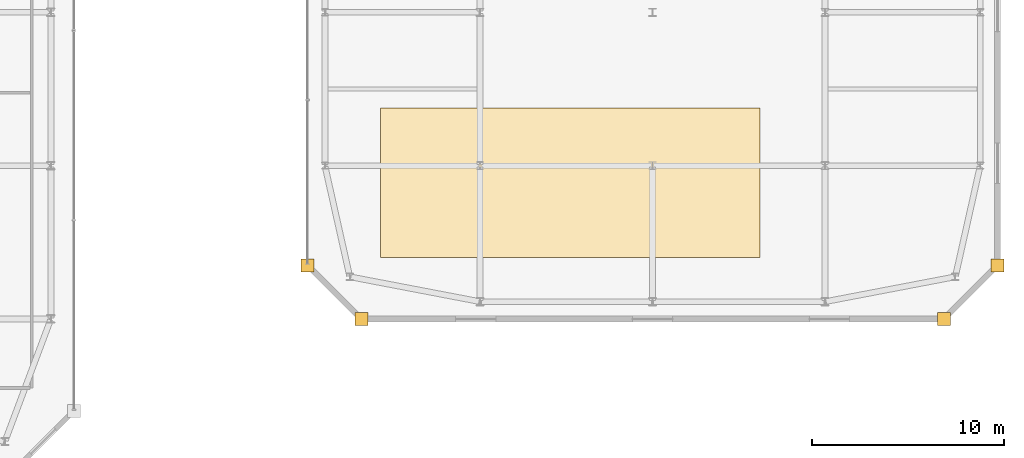
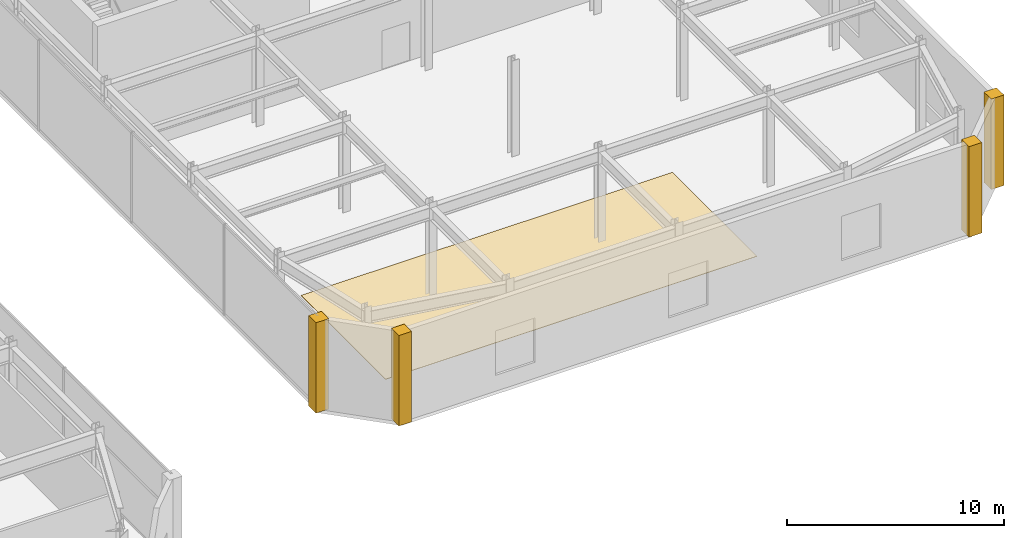
# One storey, part 49 of 51: 5 coverings.
"""IFC4 building model written with IfcOpenShell, lengths in metres."""

import ifcopenshell
import ifcopenshell.guid

model = None  # the IFC model being written
_history = None  # IfcOwnerHistory: only IFC2X3 demands one
_inside = {}  # id of a spatial element -> (the spatial element, [elements in it])
_under = {}  # id of a project, library or spatial element -> (it, [spatial elements below it])
_declared = {}  # id of a project -> (the project, [libraries it declares])
_typed = {}  # id of a type object -> (the type object, [elements of that type])
_made_of = {}  # id of a material, layer set ... -> (it, [elements and type objects made of it])


def new_model(schema):
    """Start an empty IFC model of exactly this schema.

    Asked for "IFC4X3", IfcOpenShell would pick the latest addendum, in which some entities
    have other attributes; the version numbers below select the first issue.
    IFC2X3 requires an IfcOwnerHistory on every rooted entity: one is made here for all.
    """
    global model, _history
    if schema == "IFC4X3":
        model = ifcopenshell.file(schema_version=(4, 3, 0, 0))
    else:
        model = ifcopenshell.file(schema=schema)
    _inside.clear()
    _under.clear()
    _declared.clear()
    _typed.clear()
    _made_of.clear()
    _history = None
    if model.schema == "IFC2X3":
        org = make("IfcOrganization", Name="unknown")
        user = make(
            "IfcPersonAndOrganization",
            ThePerson=make("IfcPerson", FamilyName="unknown"),
            TheOrganization=org,
        )
        app = make(
            "IfcApplication",
            ApplicationDeveloper=org,
            Version="unknown",
            ApplicationFullName="unknown",
            ApplicationIdentifier="unknown",
        )
        _history = make(
            "IfcOwnerHistory",
            OwningUser=user,
            OwningApplication=app,
            ChangeAction="ADDED",
            CreationDate=0,
        )
    return model


def make(cls, **values):
    """One entity of the class cls with the attributes given. An attribute that is None is left unset."""
    return model.create_entity(
        cls, **{name: value for name, value in values.items() if value is not None}
    )


def rooted(cls, **values):
    """An entity with a GlobalId (a new one), such as an element, a storey or a relation."""
    return make(cls, GlobalId=ifcopenshell.guid.new(), OwnerHistory=_history, **values)


def si_unit(unit_type, name, prefix=None):
    """IfcSIUnit, for example si_unit("LENGTHUNIT", "METRE", prefix="MILLI")."""
    return make("IfcSIUnit", UnitType=unit_type, Prefix=prefix, Name=name)


def assignment(units):
    """IfcUnitAssignment: the units of a project."""
    return None if units is None else make("IfcUnitAssignment", Units=units)


def point(xyz):
    """IfcCartesianPoint."""
    return None if xyz is None else make("IfcCartesianPoint", Coordinates=xyz)


def direction(xyz):
    """IfcDirection."""
    return None if xyz is None else make("IfcDirection", DirectionRatios=xyz)


def frame(location, z_axis=None, x_axis=None):
    """IfcAxis2Placement3D, a coordinate frame: its origin and axes. An axis left out is left unset."""
    return make(
        "IfcAxis2Placement3D",
        Location=point(location),
        Axis=direction(z_axis),
        RefDirection=direction(x_axis),
    )


def origin():
    """The frame at (0, 0, 0) with its axes left unset."""
    return frame((0.0, 0.0, 0.0))


def place(relative_to, where):
    """IfcLocalPlacement: puts the frame where relative to a parent placement (None: the world)."""
    return make(
        "IfcLocalPlacement", PlacementRelTo=relative_to, RelativePlacement=where
    )


def context(
    kind, dimensions, precision=None, world=None, true_north=None, identifier=None
):
    """IfcGeometricRepresentationContext, for example the 3D "Model" context."""
    return make(
        "IfcGeometricRepresentationContext",
        ContextIdentifier=identifier,
        ContextType=kind,
        CoordinateSpaceDimension=dimensions,
        Precision=precision,
        WorldCoordinateSystem=world,
        TrueNorth=true_north,
    )


def subcontext(parent, identifier, kind, view, scale=None):
    """IfcGeometricRepresentationSubContext, for example "Body" below "Model"."""
    return make(
        "IfcGeometricRepresentationSubContext",
        ContextIdentifier=identifier,
        ContextType=kind,
        ParentContext=parent,
        TargetScale=scale,
        TargetView=view,
    )


def project(units=None, contexts=None):
    """IfcProject with its units and contexts."""
    return rooted(
        "IfcProject",
        Name="project",
        RepresentationContexts=contexts,
        UnitsInContext=assignment(units),
    )


def spatial(cls, under=None, at=None, **own):
    """A site, building, storey or space (cls), placed at a placement, below another one or the project."""
    s = rooted(cls, ObjectPlacement=at, **own)
    if under is not None:
        _under.setdefault(under.id(), (under, []))[1].append(s)
    return s


def polyline(points):
    """IfcPolyline through the points."""
    return make("IfcPolyline", Points=[point(p) for p in points])


def outline(outer, holes=None, kind="AREA"):
    """IfcArbitraryClosedProfileDef: a profile drawn as a closed curve; with holes, ...WithVoids."""
    if holes is None:
        return make("IfcArbitraryClosedProfileDef", ProfileType=kind, OuterCurve=outer)
    return make(
        "IfcArbitraryProfileDefWithVoids",
        ProfileType=kind,
        OuterCurve=outer,
        InnerCurves=holes,
    )


def extrude(swept, where, along, depth):
    """IfcExtrudedAreaSolid: the profile swept, set in the frame where, extruded along a direction by depth."""
    return make(
        "IfcExtrudedAreaSolid",
        SweptArea=swept,
        Position=where,
        ExtrudedDirection=direction(along),
        Depth=depth,
    )


def shape(context_of_items, identifier, shape_type, items):
    """IfcShapeRepresentation: the items that make up one representation, for example the "Body"."""
    return make(
        "IfcShapeRepresentation",
        ContextOfItems=context_of_items,
        RepresentationIdentifier=identifier,
        RepresentationType=shape_type,
        Items=items,
    )


def material(Name=None, Category=None):
    """IfcMaterial."""
    return make("IfcMaterial", Name=Name, Category=Category)


def layer(
    of_material, thickness, ventilated=None, Name=None, Category=None, Priority=None
):
    """IfcMaterialLayer: one layer of a wall or slab, of a material (None: an air gap)."""
    return make(
        "IfcMaterialLayer",
        Material=of_material,
        LayerThickness=thickness,
        IsVentilated=ventilated,
        Name=Name,
        Category=Category,
        Priority=Priority,
    )


def layer_set(layers, Name=None):
    """IfcMaterialLayerSet."""
    return make("IfcMaterialLayerSet", MaterialLayers=layers, LayerSetName=Name)


def made_of(thing, what):
    """Note that an element or type object is made of a material, layer set ...; save() writes the relation."""
    if what is not None:
        _made_of.setdefault(what.id(), (what, []))[1].append(thing)
    return thing


def type_object(cls, material=None, **own):
    """A type object (cls), such as IfcWallType, which elements share."""
    return made_of(rooted(cls, **own), material)


def element(
    cls,
    number,
    at=None,
    inside=None,
    cuts=None,
    type_object=None,
    material=None,
    context=None,
    identifier="Body",
    shape_type=None,
    held_by="IfcProductDefinitionShape",
    body=None,
    shapes=None,
    **own,
):
    """One element of the class cls, such as IfcWall. Its Tag is "e" and its number.

    at: its placement. inside: the storey or other place that contains it. cuts: it is an
    opening in that element (IfcRelVoidsElement). A single representation is given by context,
    identifier, shape_type and body (its items); several are given by shapes. held_by: the class
    of the entity that holds the representations. save() writes the other relations.
    """
    e = rooted(cls, Tag="e%d" % number, ObjectPlacement=at, **own)
    if body is not None:
        shapes = [shape(context, identifier, shape_type, body)]
    if shapes is not None:
        e.Representation = make(held_by, Representations=shapes)
    if inside is not None:
        _inside.setdefault(inside.id(), (inside, []))[1].append(e)
    if cuts is not None:
        rooted(
            "IfcRelVoidsElement", RelatingBuildingElement=cuts, RelatedOpeningElement=e
        )
    if type_object is not None:
        _typed.setdefault(type_object.id(), (type_object, []))[1].append(e)
    return made_of(e, material)


def aggregate(whole, parts):
    """IfcRelAggregates: a whole, such as a stair, and the parts it consists of."""
    return rooted("IfcRelAggregates", RelatingObject=whole, RelatedObjects=parts)


def save(model, path):
    """Write the relations noted so far, then the file.

    IfcRelAggregates (storeys below a building ...), IfcRelContainedInSpatialStructure (elements
    in a storey), IfcRelDefinesByType, IfcRelAssociatesMaterial and IfcRelDeclares: one each for
    every whole, place, type object, material and project.
    """
    for whole, parts in _under.values():
        aggregate(whole, parts)
    for where, things in _inside.values():
        rooted(
            "IfcRelContainedInSpatialStructure",
            RelatedElements=things,
            RelatingStructure=where,
        )
    for kind, things in _typed.values():
        rooted("IfcRelDefinesByType", RelatedObjects=things, RelatingType=kind)
    for what, things in _made_of.values():
        rooted("IfcRelAssociatesMaterial", RelatedObjects=things, RelatingMaterial=what)
    for by, libraries in _declared.values():
        rooted("IfcRelDeclares", RelatingContext=by, RelatedDefinitions=libraries)
    model.write(path)


model = new_model("IFC4")

# Units and contexts
model_context = context("Model", 3, precision=1e-05, world=origin(), true_north=direction((0.0, 1.0)))
body_context = subcontext(model_context, "Body", "Model", "MODEL_VIEW")
ifc_project = project(units=[si_unit("LENGTHUNIT", "METRE"), si_unit("AREAUNIT", "SQUARE_METRE"), si_unit("VOLUMEUNIT", "CUBIC_METRE"), si_unit("PLANEANGLEUNIT", "RADIAN"), si_unit("MASSUNIT", "GRAM", prefix="KILO")], contexts=[model_context])

# Site, building, storey
site_placement = place(None, origin())
site = spatial("IfcSite", under=ifc_project, at=site_placement, CompositionType="ELEMENT")
building_placement = place(site_placement, origin())
building = spatial("IfcBuilding", under=site, at=building_placement, Name="Saevonmaru Cultural Tower", CompositionType="ELEMENT")
storey_placement = place(building_placement, frame((0.0, 0.0, 6.0)))
storey = spatial("IfcBuildingStorey", under=building, at=storey_placement, Name="L01", CompositionType="ELEMENT", Elevation=6.0)

# Coverings
ifc_material_1 = material(Name="Satin Bronze Anodised Aluminium", Category="aluminium")
ifc_layer_1 = layer(ifc_material_1, 0.679931640625, Name="Satin Bronze Anodised Aluminium")
ifc_layer_set_1 = layer_set([ifc_layer_1], Name="Satin Bronze Anodised Aluminium")
covering_type_1 = type_object("IfcCoveringType", Name="CV-CORNER-CLAD", PredefinedType="CLADDING", material=ifc_layer_set_1)
covering_1_placement = place(storey_placement, origin())
element("IfcCovering", 1, at=covering_1_placement, inside=storey, type_object=covering_type_1, Name="L01 Library Bronze Corner Cladding Pier 1", PredefinedType="CLADDING", context=body_context, shape_type="SweptSolid", body=[
    extrude(outline(polyline([(71.860107421875, 10.4599609375), (72.5400390625, 10.4599609375), (72.5400390625, 11.139892578125), (71.860107421875, 11.139892578125), (71.860107421875, 10.4599609375)])), origin(), (0.0, 0.0, 1.0), 5.10009765625),
])
covering_2_placement = place(storey_placement, origin())
element("IfcCovering", 2, at=covering_2_placement, inside=storey, type_object=covering_type_1, Name="L01 Library Bronze Corner Cladding Pier 2", PredefinedType="CLADDING", context=body_context, shape_type="SweptSolid", body=[
    extrude(outline(polyline([(74.659912109375, 7.659912109375), (75.340087890625, 7.659912109375), (75.340087890625, 8.340087890625), (74.659912109375, 8.340087890625), (74.659912109375, 7.659912109375)])), origin(), (0.0, 0.0, 1.0), 5.10009765625),
])
covering_3_placement = place(storey_placement, origin())
element("IfcCovering", 3, at=covering_3_placement, inside=storey, type_object=covering_type_1, Name="L01 Library Bronze Corner Cladding Pier 3", PredefinedType="CLADDING", context=body_context, shape_type="SweptSolid", body=[
    extrude(outline(polyline([(105.06005859375, 7.659912109375), (105.739990234375, 7.659912109375), (105.739990234375, 8.340087890625), (105.06005859375, 8.340087890625), (105.06005859375, 7.659912109375)])), origin(), (0.0, 0.0, 1.0), 5.10009765625),
])
covering_4_placement = place(storey_placement, origin())
element("IfcCovering", 4, at=covering_4_placement, inside=storey, type_object=covering_type_1, Name="L01 Library Bronze Corner Cladding Pier 4", PredefinedType="CLADDING", context=body_context, shape_type="SweptSolid", body=[
    extrude(outline(polyline([(107.860107421875, 10.4599609375), (108.5400390625, 10.4599609375), (108.5400390625, 11.139892578125), (107.860107421875, 11.139892578125), (107.860107421875, 10.4599609375)])), origin(), (0.0, 0.0, 1.0), 5.10009765625),
])
ifc_material_2 = material(Name="Engineered Acoustic Oak Flooring", Category="wood")
ifc_layer_2 = layer(ifc_material_2, 0.02392578125, Name="Engineered Acoustic Oak Flooring")
ifc_layer_set_2 = layer_set([ifc_layer_2], Name="Engineered Acoustic Oak Flooring")
covering_type_2 = type_object("IfcCoveringType", Name="CV-FLR-OAK", PredefinedType="FLOORING", material=ifc_layer_set_2)
covering_5_placement = place(storey_placement, origin())
element("IfcCovering", 5, at=covering_5_placement, inside=storey, type_object=covering_type_2, Name="L01 Library Reading Hall Acoustic Oak Flooring", PredefinedType="FLOORING", context=body_context, shape_type="SweptSolid", body=[
    extrude(outline(polyline([(76.0, 11.199951171875), (95.800048828125, 11.199951171875), (95.800048828125, 19.0), (76.0, 19.0), (76.0, 11.199951171875)])), origin(), (0.0, 0.0, 1.0), 0.02392578125),
])

save(model, "model.ifc")
